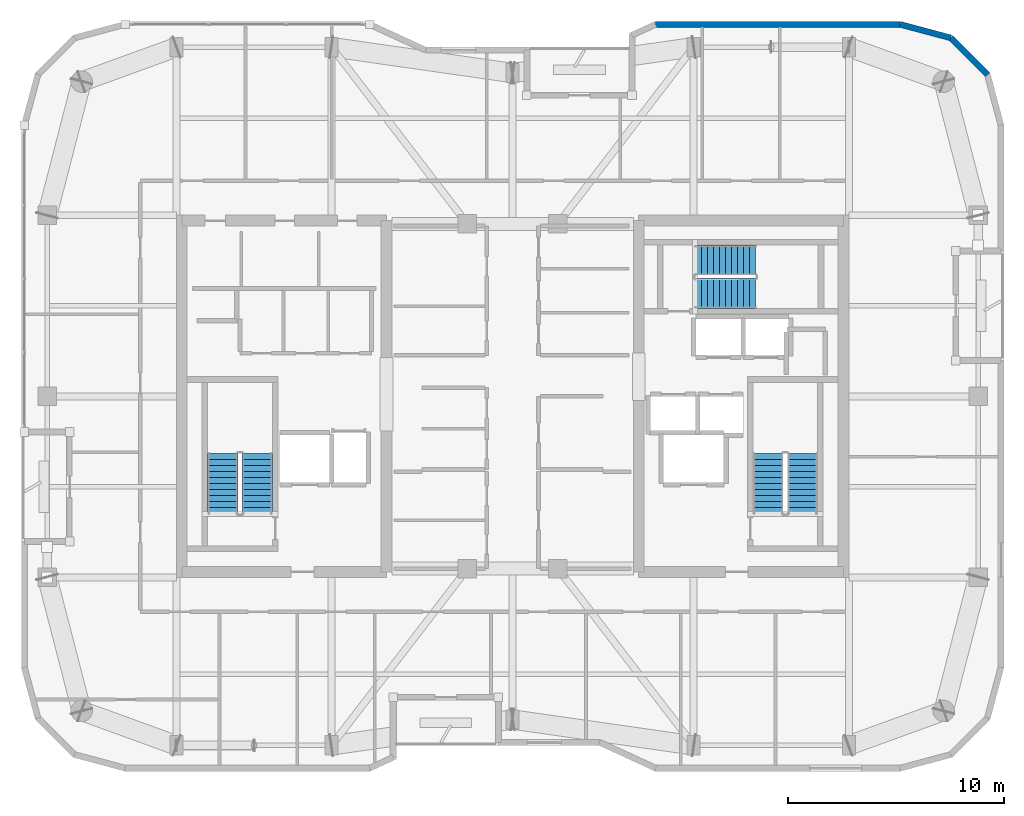
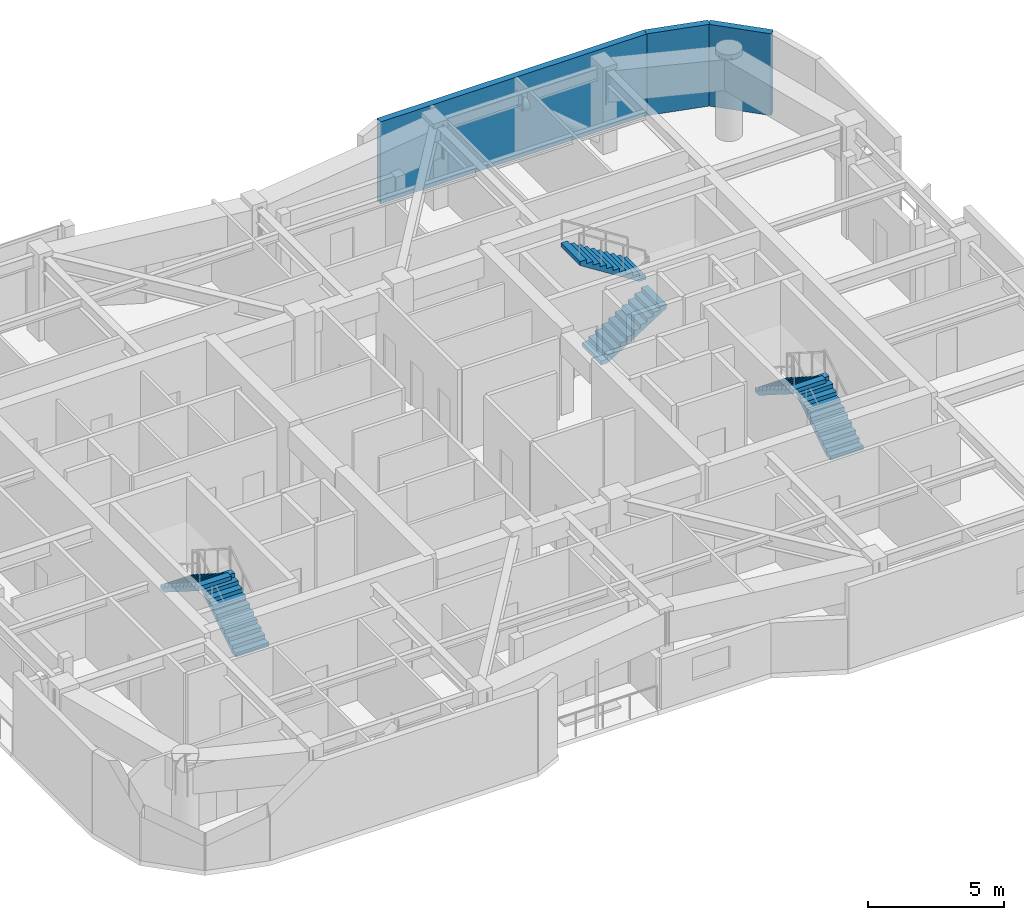
# One storey, part 14 of 16: 6 stair flights, 3 walls, 3 elements without a shape of their own.
"""IFC4 building model written with IfcOpenShell, lengths in metres."""

from ifc_helpers import new_model, si_unit, direction, frame, frame_2d, origin, place, context, subcontext, project, spatial, polyline, rectangle, outline, extrude, material, layer, layer_set, type_object, element, aggregate, save


model = new_model("IFC4")

# Units and contexts
model_context = context("Model", 3, precision=1e-05, world=origin(), true_north=direction((0.0, 1.0)))
body_context = subcontext(model_context, "Body", "Model", "MODEL_VIEW")
ifc_project = project(units=[si_unit("LENGTHUNIT", "METRE"), si_unit("AREAUNIT", "SQUARE_METRE"), si_unit("VOLUMEUNIT", "CUBIC_METRE"), si_unit("PLANEANGLEUNIT", "RADIAN"), si_unit("MASSUNIT", "GRAM", prefix="KILO")], contexts=[model_context])

# Site, building, storey
site_placement = place(None, origin())
site = spatial("IfcSite", under=ifc_project, at=site_placement, CompositionType="ELEMENT")
building_placement = place(site_placement, origin())
building = spatial("IfcBuilding", under=site, at=building_placement, Name="Kiyonajd Concourse Tower", CompositionType="ELEMENT")
storey_placement = place(building_placement, frame((0.0, 0.0, 310.199951171875)))
storey = spatial("IfcBuildingStorey", under=building, at=storey_placement, Name="L78", CompositionType="ELEMENT", Elevation=310.199951171875)

# Walls
ifc_material_1 = material(Name="Precast concrete C50/60", Category="concrete")
ifc_layer = layer(ifc_material_1, 0.280029296875)
ifc_layer_set = layer_set([ifc_layer], Name="Precast concrete C50/60")
wall_type = type_object("IfcWallType", Name="WL-EXT-280", PredefinedType="SOLIDWALL", material=ifc_layer_set)
wall_1_placement = place(storey_placement, frame((54.630859375, 53.260009765625, 0.0), z_axis=(0.0, 0.0, 1.0), x_axis=(1.0, 0.0, 0.0)))
element("IfcWall", 1, at=wall_1_placement, inside=storey, type_object=wall_type, Name="L78 Exterior Concrete Frame Wall 16", PredefinedType="SOLIDWALL", context=body_context, shape_type="SweptSolid", body=[
    extrude(rectangle(XDim=11.350830078125, YDim=0.280029296875, at=frame_2d((5.67529296875, 0.0))), origin(), (0.0, 0.0, 1.0), 3.679931640625),
])
wall_2_placement = place(storey_placement, frame((65.981689453125, 53.260009765625, 0.0), z_axis=(0.0, 0.0, 1.0), x_axis=(0.965937282298, -0.25877628691, 0.0)))
element("IfcWall", 2, at=wall_2_placement, inside=storey, type_object=wall_type, Name="L78 Exterior Concrete Frame Wall 17", PredefinedType="SOLIDWALL", context=body_context, shape_type="SweptSolid", body=[
    extrude(rectangle(XDim=2.428466796875, YDim=0.280029296875, at=frame_2d((1.21435546875, 0.0))), origin(), (0.0, 0.0, 1.0), 3.679931640625),
])
wall_3_placement = place(storey_placement, frame((68.327392578125, 52.631591796875, 0.0), z_axis=(0.0, 0.0, 1.0), x_axis=(0.707106781187, -0.707106781187, 0.0)))
element("IfcWall", 3, at=wall_3_placement, inside=storey, type_object=wall_type, Name="L78 Exterior Concrete Frame Wall 18", PredefinedType="SOLIDWALL", context=body_context, shape_type="SweptSolid", body=[
    extrude(rectangle(XDim=2.409912109375, YDim=0.280029296875, at=frame_2d((1.205078125, 0.0))), origin(), (0.0, 0.0, 1.0), 3.679931640625),
])

# Stair, stair flights
ifc_material_2 = material(Name="Concrete C40/50", Category="concrete")
stair_type = type_object("IfcStairType", Name="ST-DLG-22R", PredefinedType="HALF_TURN_STAIR", material=ifc_material_2)
stair_1_placement = place(storey_placement, origin())
stair_1 = element("IfcStair", 4, at=stair_1_placement, inside=storey, type_object=stair_type, Name="L78 Protected Exit Stair ST1", PredefinedType="HALF_TURN_STAIR")
stair_flight_type = type_object("IfcStairFlightType", Name="SF-STR-22R", PredefinedType="STRAIGHT", material=ifc_material_2)
stair_flight_1_placement = place(storey_placement, frame((36.14990234375, 30.550048828125, 0.0), z_axis=(0.0, 0.0, 1.0), x_axis=(0.0, 1.0, 0.0)))
stair_flight_1 = element("IfcStairFlight", 5, at=stair_flight_1_placement, type_object=stair_flight_type, Name="ST1 flight 1", NumberOfRisers=11, NumberOfTreads=10, PredefinedType="STRAIGHT", RiserHeight=0.177272727, TreadLength=0.28, context=body_context, shape_type="SweptSolid", body=[
    extrude(outline(polyline([(0.0, 0.0), (0.0, 0.17724609375), (0.280029296875, 0.17724609375), (0.280029296875, 0.3544921875), (0.56005859375, 0.3544921875), (0.56005859375, 0.53173828125), (0.840087890625, 0.53173828125), (0.840087890625, 0.708984375), (1.1201171875, 0.708984375), (1.1201171875, 0.886474609375), (1.39990234375, 0.886474609375), (1.39990234375, 1.063720703125), (1.679931640625, 1.063720703125), (1.679931640625, 1.240966796875), (1.9599609375, 1.240966796875), (1.9599609375, 1.418212890625), (2.239990234375, 1.418212890625), (2.239990234375, 1.595458984375), (2.52001953125, 1.595458984375), (2.52001953125, 1.772705078125), (2.800048828125, 1.772705078125), (2.800048828125, 1.949951171875), (2.800048828125, 1.59521484375), (0.2802734375, 0.0), (0.0, 0.0)])), frame((0.0, 0.699951171875, 0.0), z_axis=(0.0, -1.0, 0.0), x_axis=(1.0, 0.0, 0.0)), (0.0, 0.0, 1.0), 1.39990234375),
])
stair_flight_2_placement = place(storey_placement, frame((34.550048828125, 33.35009765625, 1.949951171875), z_axis=(0.0, 0.0, 1.0), x_axis=(0.0, -1.0, 0.0)))
stair_flight_2 = element("IfcStairFlight", 6, at=stair_flight_2_placement, type_object=stair_flight_type, Name="ST1 flight 2", NumberOfRisers=11, NumberOfTreads=10, PredefinedType="STRAIGHT", RiserHeight=0.177272727, TreadLength=0.28, context=body_context, shape_type="SweptSolid", body=[
    extrude(outline(polyline([(0.0, 0.0), (0.0, 0.17724609375), (0.280029296875, 0.17724609375), (0.280029296875, 0.3544921875), (0.56005859375, 0.3544921875), (0.56005859375, 0.53173828125), (0.840087890625, 0.53173828125), (0.840087890625, 0.708984375), (1.1201171875, 0.708984375), (1.1201171875, 0.886474609375), (1.39990234375, 0.886474609375), (1.39990234375, 1.063720703125), (1.679931640625, 1.063720703125), (1.679931640625, 1.240966796875), (1.9599609375, 1.240966796875), (1.9599609375, 1.418212890625), (2.239990234375, 1.418212890625), (2.239990234375, 1.595458984375), (2.52001953125, 1.595458984375), (2.52001953125, 1.772705078125), (2.800048828125, 1.772705078125), (2.800048828125, 1.949951171875), (2.800048828125, 1.59521484375), (0.2802734375, 0.0), (0.0, 0.0)])), frame((0.0, 0.699951171875, 0.0), z_axis=(0.0, -1.0, 0.0), x_axis=(1.0, 0.0, 0.0)), (0.0, 0.0, 1.0), 1.39990234375),
])
aggregate(stair_1, [stair_flight_1, stair_flight_2])

stair_2_placement = place(storey_placement, origin())
stair_2 = element("IfcStair", 7, at=stair_2_placement, inside=storey, type_object=stair_type, Name="L78 Protected Exit Stair ST2", PredefinedType="HALF_TURN_STAIR")
stair_flight_3_placement = place(storey_placement, frame((61.449951171875, 30.550048828125, 0.0), z_axis=(0.0, 0.0, 1.0), x_axis=(0.0, 1.0, 0.0)))
stair_flight_3 = element("IfcStairFlight", 8, at=stair_flight_3_placement, type_object=stair_flight_type, Name="ST2 flight 1", NumberOfRisers=11, NumberOfTreads=10, PredefinedType="STRAIGHT", RiserHeight=0.177272727, TreadLength=0.28, context=body_context, shape_type="SweptSolid", body=[
    extrude(outline(polyline([(0.0, 0.0), (0.0, 0.17724609375), (0.280029296875, 0.17724609375), (0.280029296875, 0.3544921875), (0.56005859375, 0.3544921875), (0.56005859375, 0.53173828125), (0.840087890625, 0.53173828125), (0.840087890625, 0.708984375), (1.1201171875, 0.708984375), (1.1201171875, 0.886474609375), (1.39990234375, 0.886474609375), (1.39990234375, 1.063720703125), (1.679931640625, 1.063720703125), (1.679931640625, 1.240966796875), (1.9599609375, 1.240966796875), (1.9599609375, 1.418212890625), (2.239990234375, 1.418212890625), (2.239990234375, 1.595458984375), (2.52001953125, 1.595458984375), (2.52001953125, 1.772705078125), (2.800048828125, 1.772705078125), (2.800048828125, 1.949951171875), (2.800048828125, 1.59521484375), (0.2802734375, 0.0), (0.0, 0.0)])), frame((0.0, 0.699951171875, 0.0), z_axis=(0.0, -1.0, 0.0), x_axis=(1.0, 0.0, 0.0)), (0.0, 0.0, 1.0), 1.39990234375),
])
stair_flight_4_placement = place(storey_placement, frame((59.85009765625, 33.35009765625, 1.949951171875), z_axis=(0.0, 0.0, 1.0), x_axis=(0.0, -1.0, 0.0)))
stair_flight_4 = element("IfcStairFlight", 9, at=stair_flight_4_placement, type_object=stair_flight_type, Name="ST2 flight 2", NumberOfRisers=11, NumberOfTreads=10, PredefinedType="STRAIGHT", RiserHeight=0.177272727, TreadLength=0.28, context=body_context, shape_type="SweptSolid", body=[
    extrude(outline(polyline([(0.0, 0.0), (0.0, 0.17724609375), (0.280029296875, 0.17724609375), (0.280029296875, 0.3544921875), (0.56005859375, 0.3544921875), (0.56005859375, 0.53173828125), (0.840087890625, 0.53173828125), (0.840087890625, 0.708984375), (1.1201171875, 0.708984375), (1.1201171875, 0.886474609375), (1.39990234375, 0.886474609375), (1.39990234375, 1.063720703125), (1.679931640625, 1.063720703125), (1.679931640625, 1.240966796875), (1.9599609375, 1.240966796875), (1.9599609375, 1.418212890625), (2.239990234375, 1.418212890625), (2.239990234375, 1.595458984375), (2.52001953125, 1.595458984375), (2.52001953125, 1.772705078125), (2.800048828125, 1.772705078125), (2.800048828125, 1.949951171875), (2.800048828125, 1.59521484375), (0.2802734375, 0.0), (0.0, 0.0)])), frame((0.0, 0.699951171875, 0.0), z_axis=(0.0, -1.0, 0.0), x_axis=(1.0, 0.0, 0.0)), (0.0, 0.0, 1.0), 1.39990234375),
])
aggregate(stair_2, [stair_flight_3, stair_flight_4])

stair_3_placement = place(storey_placement, origin())
stair_3 = element("IfcStair", 10, at=stair_3_placement, inside=storey, type_object=stair_type, Name="L78 Protected Exit Stair ST3", PredefinedType="HALF_TURN_STAIR")
stair_flight_5_placement = place(storey_placement, frame((56.47998046875, 40.780029296875, 0.0), z_axis=(0.0, 0.0, 1.0), x_axis=(1.0, 0.0, 0.0)))
stair_flight_5 = element("IfcStairFlight", 11, at=stair_flight_5_placement, type_object=stair_flight_type, Name="ST3 flight 1", NumberOfRisers=11, NumberOfTreads=10, PredefinedType="STRAIGHT", RiserHeight=0.177272727, TreadLength=0.28, context=body_context, shape_type="SweptSolid", body=[
    extrude(outline(polyline([(0.0, 0.0), (0.0, 0.17724609375), (0.280029296875, 0.17724609375), (0.280029296875, 0.3544921875), (0.56005859375, 0.3544921875), (0.56005859375, 0.53173828125), (0.840087890625, 0.53173828125), (0.840087890625, 0.708984375), (1.1201171875, 0.708984375), (1.1201171875, 0.886474609375), (1.39990234375, 0.886474609375), (1.39990234375, 1.063720703125), (1.679931640625, 1.063720703125), (1.679931640625, 1.240966796875), (1.9599609375, 1.240966796875), (1.9599609375, 1.418212890625), (2.239990234375, 1.418212890625), (2.239990234375, 1.595458984375), (2.52001953125, 1.595458984375), (2.52001953125, 1.772705078125), (2.800048828125, 1.772705078125), (2.800048828125, 1.949951171875), (2.800048828125, 1.59521484375), (0.2802734375, 0.0), (0.0, 0.0)])), frame((0.0, 0.699951171875, 0.0), z_axis=(0.0, -1.0, 0.0), x_axis=(1.0, 0.0, 0.0)), (0.0, 0.0, 1.0), 1.39990234375),
])
stair_flight_6_placement = place(storey_placement, frame((59.280029296875, 42.320068359375, 1.949951171875), z_axis=(0.0, 0.0, 1.0), x_axis=(-1.0, 0.0, 0.0)))
stair_flight_6 = element("IfcStairFlight", 12, at=stair_flight_6_placement, type_object=stair_flight_type, Name="ST3 flight 2", NumberOfRisers=11, NumberOfTreads=10, PredefinedType="STRAIGHT", RiserHeight=0.177272727, TreadLength=0.28, context=body_context, shape_type="SweptSolid", body=[
    extrude(outline(polyline([(0.0, 0.0), (0.0, 0.17724609375), (0.280029296875, 0.17724609375), (0.280029296875, 0.3544921875), (0.56005859375, 0.3544921875), (0.56005859375, 0.53173828125), (0.840087890625, 0.53173828125), (0.840087890625, 0.708984375), (1.1201171875, 0.708984375), (1.1201171875, 0.886474609375), (1.39990234375, 0.886474609375), (1.39990234375, 1.063720703125), (1.679931640625, 1.063720703125), (1.679931640625, 1.240966796875), (1.9599609375, 1.240966796875), (1.9599609375, 1.418212890625), (2.239990234375, 1.418212890625), (2.239990234375, 1.595458984375), (2.52001953125, 1.595458984375), (2.52001953125, 1.772705078125), (2.800048828125, 1.772705078125), (2.800048828125, 1.949951171875), (2.800048828125, 1.59521484375), (0.2802734375, 0.0), (0.0, 0.0)])), frame((0.0, 0.699951171875, 0.0), z_axis=(0.0, -1.0, 0.0), x_axis=(1.0, 0.0, 0.0)), (0.0, 0.0, 1.0), 1.39990234375),
])
aggregate(stair_3, [stair_flight_5, stair_flight_6])

save(model, "model.ifc")
